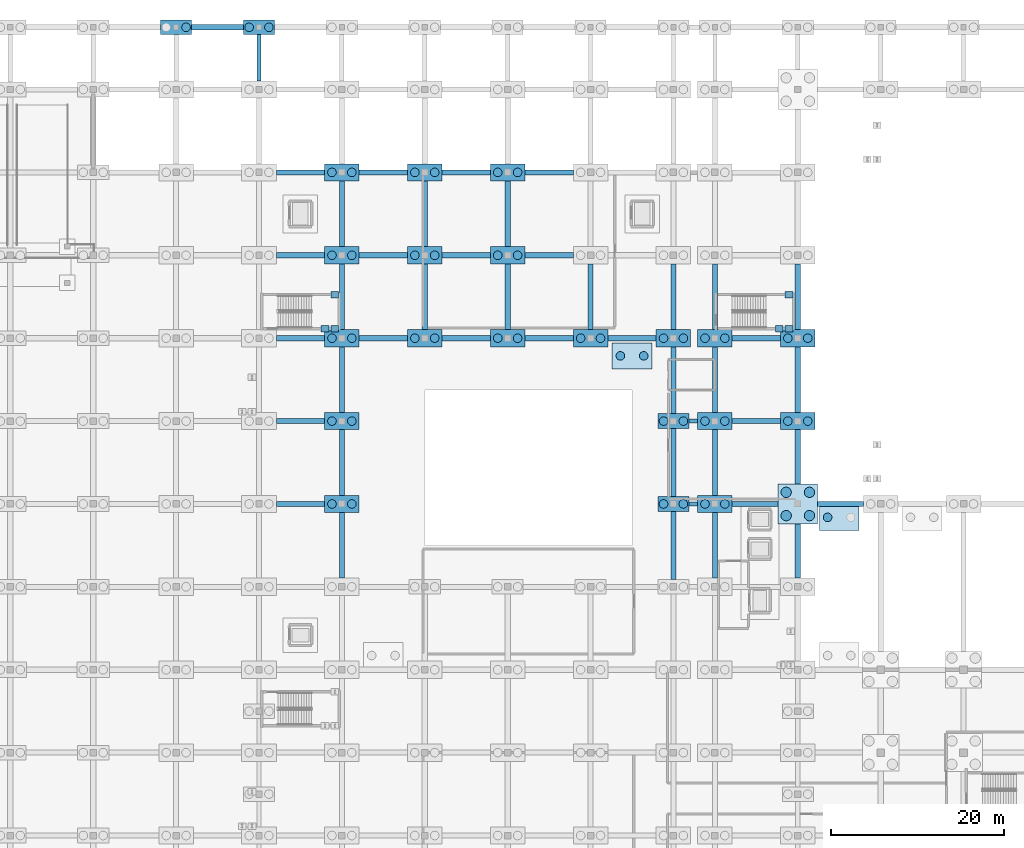
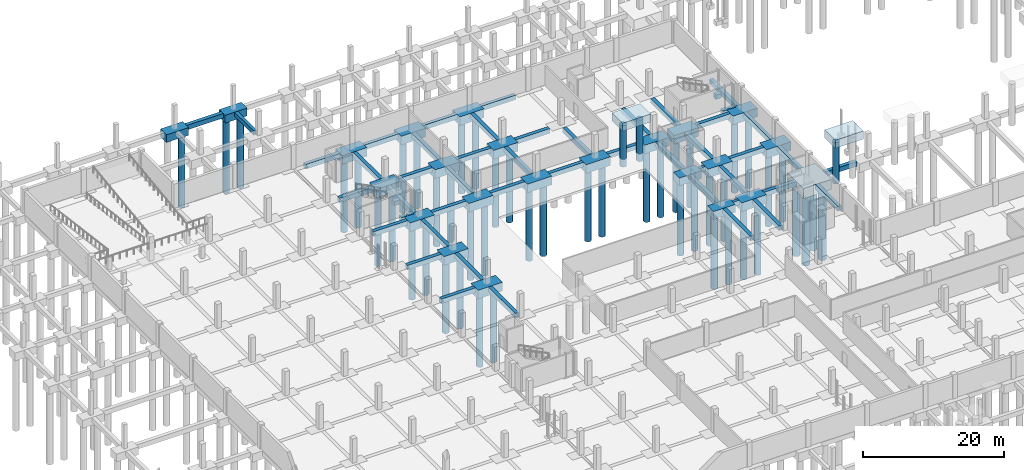
# One storey, part 7 of 54: 76 footings, 50 piles.
"""IFC4 building model written with IfcOpenShell, lengths in metres."""

from ifc_helpers import new_model, si_unit, direction, frame, origin, origin_2d, place, context, subcontext, project, spatial, rectangle, circle, extrude, material, material_profile, profile_set, type_object, element, save


model = new_model("IFC4")

# Units and contexts
model_context = context("Model", 3, precision=1e-05, world=origin(), true_north=direction((0.0, 1.0)))
body_context = subcontext(model_context, "Body", "Model", "MODEL_VIEW")
ifc_project = project(units=[si_unit("LENGTHUNIT", "METRE"), si_unit("AREAUNIT", "SQUARE_METRE"), si_unit("VOLUMEUNIT", "CUBIC_METRE"), si_unit("PLANEANGLEUNIT", "RADIAN"), si_unit("MASSUNIT", "GRAM", prefix="KILO")], contexts=[model_context])

# Site, building, storey
site_placement = place(None, origin())
site = spatial("IfcSite", under=ifc_project, at=site_placement, CompositionType="ELEMENT")
building_placement = place(site_placement, origin())
building = spatial("IfcBuilding", under=site, at=building_placement, Name="Zevrakil Square Congress Hotel", CompositionType="ELEMENT")
storey_placement = place(building_placement, frame((0.0, 0.0, -8.39990234375)))
storey = spatial("IfcBuildingStorey", under=building, at=storey_placement, Name="B2", CompositionType="ELEMENT", Elevation=-8.39990234375)

# Footings
ifc_material_1 = material(Name="Concrete C35/45", Category="concrete")
footing_type_1 = type_object("IfcFootingType", Name="FTG-PC2-360", PredefinedType="PILE_CAP", material=ifc_material_1)
for number, where, z_axis, x_axis, name in (
    (1, (45.60009765625, 120.0, -1.35009765625), (0.0, 0.0, 1.0), (1.0, 0.0, 0.0), "Pile cap PC2-083"),
    (2, (55.199951171875, 120.0, -1.35009765625), (0.0, 0.0, 1.0), (1.0, 0.0, 0.0), "Pile cap PC2-097"),
    (3, (103.199951171875, 64.800048828125, -1.35009765625), (0.0, 0.0, 1.0), (1.0, 0.0, 0.0), "Pile cap PC2-161"),
    (4, (103.199951171875, 74.39990234375, -1.35009765625), (0.0, 0.0, 1.0), (1.0, 0.0, 0.0), "Pile cap PC2-162"),
):
    element("IfcFooting", number, at=place(storey_placement, frame(where, z_axis=z_axis, x_axis=x_axis)), inside=storey, type_object=footing_type_1, Name=name, PredefinedType="PILE_CAP", context=body_context, shape_type="SweptSolid", body=[
        extrude(rectangle(XDim=3.60009765625, YDim=1.699951171875, at=origin_2d()), origin(), (0.0, 0.0, 1.0), 1.35009765625),
    ])
ifc_material_2 = material(Name="Concrete C35/45", Category="concrete")
footing_type_2 = type_object("IfcFootingType", Name="FTG-PC2-400", PredefinedType="PILE_CAP", material=ifc_material_2)
for number, where, z_axis, x_axis, name in (
    (5, (64.800048828125, 64.800048828125, -1.5), (0.0, 0.0, 1.0), (1.0, 0.0, 0.0), "Pile cap PC2-105"),
    (6, (64.800048828125, 74.39990234375, -1.5), (0.0, 0.0, 1.0), (1.0, 0.0, 0.0), "Pile cap PC2-106"),
    (7, (64.800048828125, 84.0, -1.5), (0.0, 0.0, 1.0), (1.0, 0.0, 0.0), "Pile cap PC2-107"),
    (8, (64.800048828125, 93.60009765625, -1.5), (0.0, 0.0, 1.0), (1.0, 0.0, 0.0), "Pile cap PC2-108"),
    (9, (64.800048828125, 103.199951171875, -1.5), (0.0, 0.0, 1.0), (1.0, 0.0, 0.0), "Pile cap PC2-109"),
    (10, (74.39990234375, 84.0, -1.5), (0.0, 0.0, 1.0), (1.0, 0.0, 0.0), "Pile cap PC2-121"),
    (11, (74.39990234375, 93.60009765625, -1.5), (0.0, 0.0, 1.0), (1.0, 0.0, 0.0), "Pile cap PC2-122"),
    (12, (74.39990234375, 103.199951171875, -1.5), (0.0, 0.0, 1.0), (1.0, 0.0, 0.0), "Pile cap PC2-123"),
    (13, (84.0, 84.0, -1.5), (0.0, 0.0, 1.0), (1.0, 0.0, 0.0), "Pile cap PC2-135"),
    (14, (84.0, 93.60009765625, -1.5), (0.0, 0.0, 1.0), (1.0, 0.0, 0.0), "Pile cap PC2-136"),
    (15, (84.0, 103.199951171875, -1.5), (0.0, 0.0, 1.0), (1.0, 0.0, 0.0), "Pile cap PC2-137"),
    (16, (93.60009765625, 84.0, -1.5), (0.0, 0.0, 1.0), (1.0, 0.0, 0.0), "Pile cap PC2-149"),
    (17, (103.199951171875, 84.0, -1.5), (0.0, 0.0, 1.0), (1.0, 0.0, 0.0), "Pile cap PC2-163"),
    (18, (108.0, 64.800048828125, -1.5), (0.0, 0.0, 1.0), (1.0, 0.0, 0.0), "Pile cap PC2-175"),
    (19, (108.0, 74.39990234375, -1.5), (0.0, 0.0, 1.0), (1.0, 0.0, 0.0), "Pile cap PC2-176"),
    (20, (108.0, 84.0, -1.5), (0.0, 0.0, 1.0), (1.0, 0.0, 0.0), "Pile cap PC2-177"),
    (21, (117.60009765625, 74.39990234375, -1.5), (0.0, 0.0, 1.0), (1.0, 0.0, 0.0), "Pile cap PC2-190"),
    (22, (117.60009765625, 84.0, -1.5), (0.0, 0.0, 1.0), (1.0, 0.0, 0.0), "Pile cap PC2-191"),
):
    element("IfcFooting", number, at=place(storey_placement, frame(where, z_axis=z_axis, x_axis=x_axis)), inside=storey, type_object=footing_type_2, Name=name, PredefinedType="PILE_CAP", context=body_context, shape_type="SweptSolid", body=[
        extrude(rectangle(XDim=4.0, YDim=2.0, at=origin_2d()), origin(), (0.0, 0.0, 1.0), 1.5),
    ])
ifc_material_3 = material(Name="Concrete C35/45", Category="concrete")
footing_type_3 = type_object("IfcFootingType", Name="FTG-PC2-460x300", PredefinedType="PILE_CAP", material=ifc_material_3)
for number, where, z_axis, x_axis, name in (
    (23, (98.39990234375, 81.949951171875, 5.75), (0.0, 0.0, 1.0), (1.0, 0.0, 0.0), "Exterior exit landing two-pile cap EX-ST06"),
    (24, (122.39990234375, 63.25, 5.75), (0.0, 0.0, 1.0), (1.0, 0.0, 0.0), "Exterior exit landing two-pile cap EX-ST08"),
):
    element("IfcFooting", number, at=place(storey_placement, frame(where, z_axis=z_axis, x_axis=x_axis)), inside=storey, type_object=footing_type_3, Name=name, PredefinedType="PILE_CAP", context=body_context, shape_type="SweptSolid", body=[
        extrude(rectangle(XDim=4.60009765625, YDim=3.0, at=origin_2d()), origin(), (0.0, 0.0, 1.0), 1.39990234375),
    ])
ifc_material_4 = material(Name="Concrete C35/45", Category="concrete")
footing_type_4 = type_object("IfcFootingType", Name="FTG-PC4-460", PredefinedType="PILE_CAP", material=ifc_material_4)
footing_1_placement = place(storey_placement, frame((117.60009765625, 64.800048828125, -1.75), z_axis=(0.0, 0.0, 1.0), x_axis=(1.0, 0.0, 0.0)))
element("IfcFooting", 25, at=footing_1_placement, inside=storey, type_object=footing_type_4, Name="Pile cap PC4-189", PredefinedType="PILE_CAP", context=body_context, shape_type="SweptSolid", body=[
    extrude(rectangle(XDim=4.60009765625, YDim=4.60009765625, at=origin_2d()), origin(), (0.0, 0.0, 1.0), 1.75),
])
ifc_material_5 = material(Name="Concrete C35/45", Category="concrete")
ifc_material_profile_1 = material_profile(ifc_material_5, rectangle(XDim=0.75, YDim=0.75, at=origin_2d()), Name="RC 750x750")
ifc_profile_set_1 = profile_set([ifc_material_profile_1], Name="Concrete C35/45")
footing_type_5 = type_object("IfcFootingType", Name="FTG-STRIP-750", PredefinedType="STRIP_FOOTING", material=ifc_profile_set_1)
footing_2_placement = place(storey_placement, frame((62.39990234375, 85.10009765625, -0.375), z_axis=(1.0, 0.0, 0.0), x_axis=(0.0, 1.0, 0.0)))
element("IfcFooting", 26, at=footing_2_placement, inside=storey, type_object=footing_type_5, Name="B2 stair post footing ST05-1", PredefinedType="STRIP_FOOTING", context=body_context, shape_type="SweptSolid", body=[
    extrude(rectangle(XDim=0.75, YDim=0.75, at=origin_2d()), origin(), (0.0, 0.0, 1.0), 0.900146484375),
])
for number, where, z_axis, x_axis, name in (
    (27, (63.530029296875, 85.10009765625, -0.375), (1.0, 0.0, 0.0), (0.0, 1.0, 0.0), "B2 stair post footing ST05-2"),
    (28, (63.530029296875, 89.050048828125, -0.375), (1.0, 0.0, 0.0), (0.0, 1.0, 0.0), "B2 stair post footing ST05-3"),
    (29, (115.0, 85.10009765625, -0.375), (1.0, 0.0, 0.0), (0.0, 1.0, 0.0), "B2 stair post footing ST06-1"),
):
    element("IfcFooting", number, at=place(storey_placement, frame(where, z_axis=z_axis, x_axis=x_axis)), inside=storey, type_object=footing_type_5, Name=name, PredefinedType="STRIP_FOOTING", context=body_context, shape_type="SweptSolid", body=[
        extrude(rectangle(XDim=0.75, YDim=0.75, at=origin_2d()), origin(), (0.0, 0.0, 1.0), 0.89990234375),
    ])
for number, where, z_axis, x_axis, name in (
    (30, (116.1298828125, 85.10009765625, -0.375), (1.0, 0.0, 0.0), (0.0, 1.0, 0.0), "B2 stair post footing ST06-2"),
    (31, (116.1298828125, 89.050048828125, -0.375), (1.0, 0.0, 0.0), (0.0, 1.0, 0.0), "B2 stair post footing ST06-3"),
):
    element("IfcFooting", number, at=place(storey_placement, frame(where, z_axis=z_axis, x_axis=x_axis)), inside=storey, type_object=footing_type_5, Name=name, PredefinedType="STRIP_FOOTING", context=body_context, shape_type="SweptSolid", body=[
        extrude(rectangle(XDim=0.75, YDim=0.75, at=origin_2d()), origin(), (0.0, 0.0, 1.0), 0.900146484375),
    ])
ifc_material_6 = material(Name="Concrete C35/45", Category="concrete")
ifc_material_profile_2 = material_profile(ifc_material_6, rectangle(XDim=0.5, YDim=0.75, at=origin_2d()), Name="RC 500x750")
ifc_profile_set_2 = profile_set([ifc_material_profile_2], Name="Concrete C35/45")
footing_type_6 = type_object("IfcFootingType", Name="FTG-TIE-500x750", PredefinedType="FOOTING_BEAM", material=ifc_profile_set_2)
for number, where, z_axis, x_axis, name in (
    (32, (105.0, 64.800048828125, -0.375), (1.0, 0.0, 0.0), (0.0, 1.0, 0.0), "Ground tie beam GB-124"),
    (33, (105.0, 74.39990234375, -0.375), (1.0, 0.0, 0.0), (0.0, 1.0, 0.0), "Ground tie beam GB-139"),
):
    element("IfcFooting", number, at=place(storey_placement, frame(where, z_axis=z_axis, x_axis=x_axis)), inside=storey, type_object=footing_type_6, Name=name, PredefinedType="FOOTING_BEAM", context=body_context, shape_type="SweptSolid", body=[
        extrude(rectangle(XDim=0.5, YDim=0.75, at=origin_2d()), origin(), (0.0, 0.0, 1.0), 1.0),
    ])
footing_3_placement = place(storey_placement, frame((55.199951171875, 113.800048828125, -0.375), z_axis=(0.0, 1.0, 0.0), x_axis=(-1.0, 0.0, 0.0)))
element("IfcFooting", 34, at=footing_3_placement, inside=storey, type_object=footing_type_6, Name="Ground tie beam GB-304", PredefinedType="FOOTING_BEAM", context=body_context, shape_type="SweptSolid", body=[
    extrude(rectangle(XDim=0.5, YDim=0.75, at=origin_2d()), origin(), (0.0, 0.0, 1.0), 5.349853515625),
])
ifc_material_7 = material(Name="Concrete C35/45", Category="concrete")
ifc_material_profile_3 = material_profile(ifc_material_7, rectangle(XDim=0.60009765625, YDim=0.800048828125, at=origin_2d()), Name="RC 600x800")
ifc_profile_set_3 = profile_set([ifc_material_profile_3], Name="Concrete C35/45")
footing_type_7 = type_object("IfcFootingType", Name="FTG-TIE-600x800", PredefinedType="FOOTING_BEAM", material=ifc_profile_set_3)
footing_4_placement = place(storey_placement, frame((57.199951171875, 64.800048828125, -0.400146484375), z_axis=(1.0, 0.0, 0.0), x_axis=(0.0, 1.0, 0.0)))
element("IfcFooting", 35, at=footing_4_placement, inside=storey, type_object=footing_type_7, Name="Ground tie beam GB-123", PredefinedType="FOOTING_BEAM", context=body_context, shape_type="SweptSolid", body=[
    extrude(rectangle(XDim=0.60009765625, YDim=0.800048828125, at=origin_2d()), origin(), (0.0, 0.0, 1.0), 5.60009765625),
])
for number, where, z_axis, x_axis, name in (
    (36, (110.0, 64.800048828125, -0.400146484375), (1.0, 0.0, 0.0), (0.0, 1.0, 0.0), "Ground tie beam GB-125"),
    (37, (119.89990234375, 64.800048828125, -0.400146484375), (1.0, 0.0, 0.0), (0.0, 1.0, 0.0), "Ground tie beam GB-126"),
):
    element("IfcFooting", number, at=place(storey_placement, frame(where, z_axis=z_axis, x_axis=x_axis)), inside=storey, type_object=footing_type_7, Name=name, PredefinedType="FOOTING_BEAM", context=body_context, shape_type="SweptSolid", body=[
        extrude(rectangle(XDim=0.60009765625, YDim=0.800048828125, at=origin_2d()), origin(), (0.0, 0.0, 1.0), 5.300048828125),
    ])
for number, where, z_axis, x_axis, name in (
    (38, (57.199951171875, 74.39990234375, -0.400146484375), (1.0, 0.0, 0.0), (0.0, 1.0, 0.0), "Ground tie beam GB-138"),
    (39, (110.0, 74.39990234375, -0.400146484375), (1.0, 0.0, 0.0), (0.0, 1.0, 0.0), "Ground tie beam GB-140"),
    (40, (57.199951171875, 84.0, -0.400146484375), (1.0, 0.0, 0.0), (0.0, 1.0, 0.0), "Ground tie beam GB-148"),
):
    element("IfcFooting", number, at=place(storey_placement, frame(where, z_axis=z_axis, x_axis=x_axis)), inside=storey, type_object=footing_type_7, Name=name, PredefinedType="FOOTING_BEAM", context=body_context, shape_type="SweptSolid", body=[
        extrude(rectangle(XDim=0.60009765625, YDim=0.800048828125, at=origin_2d()), origin(), (0.0, 0.0, 1.0), 5.60009765625),
    ])
footing_5_placement = place(storey_placement, frame((66.800048828125, 84.0, -0.400146484375), z_axis=(1.0, 0.0, 0.0), x_axis=(0.0, 1.0, 0.0)))
element("IfcFooting", 41, at=footing_5_placement, inside=storey, type_object=footing_type_7, Name="Ground tie beam GB-149", PredefinedType="FOOTING_BEAM", context=body_context, shape_type="SweptSolid", body=[
    extrude(rectangle(XDim=0.60009765625, YDim=0.800048828125, at=origin_2d()), origin(), (0.0, 0.0, 1.0), 5.599853515625),
])
for number, where, z_axis, x_axis, name in (
    (42, (76.39990234375, 84.0, -0.400146484375), (1.0, 0.0, 0.0), (0.0, 1.0, 0.0), "Ground tie beam GB-150"),
    (43, (86.0, 84.0, -0.400146484375), (1.0, 0.0, 0.0), (0.0, 1.0, 0.0), "Ground tie beam GB-151"),
):
    element("IfcFooting", number, at=place(storey_placement, frame(where, z_axis=z_axis, x_axis=x_axis)), inside=storey, type_object=footing_type_7, Name=name, PredefinedType="FOOTING_BEAM", context=body_context, shape_type="SweptSolid", body=[
        extrude(rectangle(XDim=0.60009765625, YDim=0.800048828125, at=origin_2d()), origin(), (0.0, 0.0, 1.0), 5.60009765625),
    ])
footing_6_placement = place(storey_placement, frame((95.60009765625, 84.0, -0.400146484375), z_axis=(1.0, 0.0, 0.0), x_axis=(0.0, 1.0, 0.0)))
element("IfcFooting", 44, at=footing_6_placement, inside=storey, type_object=footing_type_7, Name="Ground tie beam GB-152", PredefinedType="FOOTING_BEAM", context=body_context, shape_type="SweptSolid", body=[
    extrude(rectangle(XDim=0.60009765625, YDim=0.800048828125, at=origin_2d()), origin(), (0.0, 0.0, 1.0), 5.599853515625),
])
for number, where, z_axis, x_axis, name in (
    (45, (110.0, 84.0, -0.400146484375), (1.0, 0.0, 0.0), (0.0, 1.0, 0.0), "Ground tie beam GB-153"),
    (46, (57.199951171875, 93.60009765625, -0.400146484375), (1.0, 0.0, 0.0), (0.0, 1.0, 0.0), "Ground tie beam GB-161"),
):
    element("IfcFooting", number, at=place(storey_placement, frame(where, z_axis=z_axis, x_axis=x_axis)), inside=storey, type_object=footing_type_7, Name=name, PredefinedType="FOOTING_BEAM", context=body_context, shape_type="SweptSolid", body=[
        extrude(rectangle(XDim=0.60009765625, YDim=0.800048828125, at=origin_2d()), origin(), (0.0, 0.0, 1.0), 5.60009765625),
    ])
footing_7_placement = place(storey_placement, frame((66.800048828125, 93.60009765625, -0.400146484375), z_axis=(1.0, 0.0, 0.0), x_axis=(0.0, 1.0, 0.0)))
element("IfcFooting", 47, at=footing_7_placement, inside=storey, type_object=footing_type_7, Name="Ground tie beam GB-162", PredefinedType="FOOTING_BEAM", context=body_context, shape_type="SweptSolid", body=[
    extrude(rectangle(XDim=0.60009765625, YDim=0.800048828125, at=origin_2d()), origin(), (0.0, 0.0, 1.0), 5.599853515625),
])
for number, where, z_axis, x_axis, name in (
    (48, (76.39990234375, 93.60009765625, -0.400146484375), (1.0, 0.0, 0.0), (0.0, 1.0, 0.0), "Ground tie beam GB-163"),
    (49, (86.0, 93.60009765625, -0.400146484375), (1.0, 0.0, 0.0), (0.0, 1.0, 0.0), "Ground tie beam GB-164"),
    (50, (57.199951171875, 103.199951171875, -0.400146484375), (1.0, 0.0, 0.0), (0.0, 1.0, 0.0), "Ground tie beam GB-173"),
):
    element("IfcFooting", number, at=place(storey_placement, frame(where, z_axis=z_axis, x_axis=x_axis)), inside=storey, type_object=footing_type_7, Name=name, PredefinedType="FOOTING_BEAM", context=body_context, shape_type="SweptSolid", body=[
        extrude(rectangle(XDim=0.60009765625, YDim=0.800048828125, at=origin_2d()), origin(), (0.0, 0.0, 1.0), 5.60009765625),
    ])
footing_8_placement = place(storey_placement, frame((66.800048828125, 103.199951171875, -0.400146484375), z_axis=(1.0, 0.0, 0.0), x_axis=(0.0, 1.0, 0.0)))
element("IfcFooting", 51, at=footing_8_placement, inside=storey, type_object=footing_type_7, Name="Ground tie beam GB-174", PredefinedType="FOOTING_BEAM", context=body_context, shape_type="SweptSolid", body=[
    extrude(rectangle(XDim=0.60009765625, YDim=0.800048828125, at=origin_2d()), origin(), (0.0, 0.0, 1.0), 5.599853515625),
])
for number, where, z_axis, x_axis, name in (
    (52, (76.39990234375, 103.199951171875, -0.400146484375), (1.0, 0.0, 0.0), (0.0, 1.0, 0.0), "Ground tie beam GB-175"),
    (53, (86.0, 103.199951171875, -0.400146484375), (1.0, 0.0, 0.0), (0.0, 1.0, 0.0), "Ground tie beam GB-176"),
):
    element("IfcFooting", number, at=place(storey_placement, frame(where, z_axis=z_axis, x_axis=x_axis)), inside=storey, type_object=footing_type_7, Name=name, PredefinedType="FOOTING_BEAM", context=body_context, shape_type="SweptSolid", body=[
        extrude(rectangle(XDim=0.60009765625, YDim=0.800048828125, at=origin_2d()), origin(), (0.0, 0.0, 1.0), 5.60009765625),
    ])
footing_9_placement = place(storey_placement, frame((47.39990234375, 120.0, -0.400146484375), z_axis=(1.0, 0.0, 0.0), x_axis=(0.0, 1.0, 0.0)))
element("IfcFooting", 54, at=footing_9_placement, inside=storey, type_object=footing_type_7, Name="Ground tie beam GB-202", PredefinedType="FOOTING_BEAM", context=body_context, shape_type="SweptSolid", body=[
    extrude(rectangle(XDim=0.60009765625, YDim=0.800048828125, at=origin_2d()), origin(), (0.0, 0.0, 1.0), 6.0),
])
footing_10_placement = place(storey_placement, frame((64.800048828125, 56.199951171875, -0.400146484375), z_axis=(0.0, 1.0, 0.0), x_axis=(-1.0, 0.0, 0.0)))
element("IfcFooting", 55, at=footing_10_placement, inside=storey, type_object=footing_type_7, Name="Ground tie beam GB-311", PredefinedType="FOOTING_BEAM", context=body_context, shape_type="SweptSolid", body=[
    extrude(rectangle(XDim=0.60009765625, YDim=0.800048828125, at=origin_2d()), origin(), (0.0, 0.0, 1.0), 7.60009765625),
])
footing_11_placement = place(storey_placement, frame((64.800048828125, 65.800048828125, -0.400146484375), z_axis=(0.0, 1.0, 0.0), x_axis=(-1.0, 0.0, 0.0)))
element("IfcFooting", 56, at=footing_11_placement, inside=storey, type_object=footing_type_7, Name="Ground tie beam GB-312", PredefinedType="FOOTING_BEAM", context=body_context, shape_type="SweptSolid", body=[
    extrude(rectangle(XDim=0.60009765625, YDim=0.800048828125, at=origin_2d()), origin(), (0.0, 0.0, 1.0), 7.599853515625),
])
for number, where, z_axis, x_axis, name in (
    (57, (64.800048828125, 75.39990234375, -0.400146484375), (0.0, 1.0, 0.0), (-1.0, 0.0, 0.0), "Ground tie beam GB-313"),
    (58, (64.800048828125, 85.0, -0.400146484375), (0.0, 1.0, 0.0), (-1.0, 0.0, 0.0), "Ground tie beam GB-314"),
):
    element("IfcFooting", number, at=place(storey_placement, frame(where, z_axis=z_axis, x_axis=x_axis)), inside=storey, type_object=footing_type_7, Name=name, PredefinedType="FOOTING_BEAM", context=body_context, shape_type="SweptSolid", body=[
        extrude(rectangle(XDim=0.60009765625, YDim=0.800048828125, at=origin_2d()), origin(), (0.0, 0.0, 1.0), 7.60009765625),
    ])
footing_12_placement = place(storey_placement, frame((64.800048828125, 94.60009765625, -0.400146484375), z_axis=(0.0, 1.0, 0.0), x_axis=(-1.0, 0.0, 0.0)))
element("IfcFooting", 59, at=footing_12_placement, inside=storey, type_object=footing_type_7, Name="Ground tie beam GB-315", PredefinedType="FOOTING_BEAM", context=body_context, shape_type="SweptSolid", body=[
    extrude(rectangle(XDim=0.60009765625, YDim=0.800048828125, at=origin_2d()), origin(), (0.0, 0.0, 1.0), 7.599853515625),
])
footing_13_placement = place(storey_placement, frame((74.39990234375, 85.0, -0.400146484375), z_axis=(0.0, 1.0, 0.0), x_axis=(-1.0, 0.0, 0.0)))
element("IfcFooting", 60, at=footing_13_placement, inside=storey, type_object=footing_type_7, Name="Ground tie beam GB-324", PredefinedType="FOOTING_BEAM", context=body_context, shape_type="SweptSolid", body=[
    extrude(rectangle(XDim=0.60009765625, YDim=0.800048828125, at=origin_2d()), origin(), (0.0, 0.0, 1.0), 7.60009765625),
])
footing_14_placement = place(storey_placement, frame((74.39990234375, 94.60009765625, -0.400146484375), z_axis=(0.0, 1.0, 0.0), x_axis=(-1.0, 0.0, 0.0)))
element("IfcFooting", 61, at=footing_14_placement, inside=storey, type_object=footing_type_7, Name="Ground tie beam GB-325", PredefinedType="FOOTING_BEAM", context=body_context, shape_type="SweptSolid", body=[
    extrude(rectangle(XDim=0.60009765625, YDim=0.800048828125, at=origin_2d()), origin(), (0.0, 0.0, 1.0), 7.599853515625),
])
footing_15_placement = place(storey_placement, frame((84.0, 85.0, -0.400146484375), z_axis=(0.0, 1.0, 0.0), x_axis=(-1.0, 0.0, 0.0)))
element("IfcFooting", 62, at=footing_15_placement, inside=storey, type_object=footing_type_7, Name="Ground tie beam GB-334", PredefinedType="FOOTING_BEAM", context=body_context, shape_type="SweptSolid", body=[
    extrude(rectangle(XDim=0.60009765625, YDim=0.800048828125, at=origin_2d()), origin(), (0.0, 0.0, 1.0), 7.60009765625),
])
footing_16_placement = place(storey_placement, frame((84.0, 94.60009765625, -0.400146484375), z_axis=(0.0, 1.0, 0.0), x_axis=(-1.0, 0.0, 0.0)))
element("IfcFooting", 63, at=footing_16_placement, inside=storey, type_object=footing_type_7, Name="Ground tie beam GB-335", PredefinedType="FOOTING_BEAM", context=body_context, shape_type="SweptSolid", body=[
    extrude(rectangle(XDim=0.60009765625, YDim=0.800048828125, at=origin_2d()), origin(), (0.0, 0.0, 1.0), 7.599853515625),
])
footing_17_placement = place(storey_placement, frame((93.60009765625, 85.0, -0.400146484375), z_axis=(0.0, 1.0, 0.0), x_axis=(-1.0, 0.0, 0.0)))
element("IfcFooting", 64, at=footing_17_placement, inside=storey, type_object=footing_type_7, Name="Ground tie beam GB-344", PredefinedType="FOOTING_BEAM", context=body_context, shape_type="SweptSolid", body=[
    extrude(rectangle(XDim=0.60009765625, YDim=0.800048828125, at=origin_2d()), origin(), (0.0, 0.0, 1.0), 7.60009765625),
])
footing_18_placement = place(storey_placement, frame((103.199951171875, 56.050048828125, -0.400146484375), z_axis=(0.0, 1.0, 0.0), x_axis=(-1.0, 0.0, 0.0)))
element("IfcFooting", 65, at=footing_18_placement, inside=storey, type_object=footing_type_7, Name="Ground tie beam GB-354", PredefinedType="FOOTING_BEAM", context=body_context, shape_type="SweptSolid", body=[
    extrude(rectangle(XDim=0.60009765625, YDim=0.800048828125, at=origin_2d()), origin(), (0.0, 0.0, 1.0), 7.89990234375),
])
footing_19_placement = place(storey_placement, frame((103.199951171875, 65.64990234375, -0.400146484375), z_axis=(0.0, 1.0, 0.0), x_axis=(-1.0, 0.0, 0.0)))
element("IfcFooting", 66, at=footing_19_placement, inside=storey, type_object=footing_type_7, Name="Ground tie beam GB-355", PredefinedType="FOOTING_BEAM", context=body_context, shape_type="SweptSolid", body=[
    extrude(rectangle(XDim=0.60009765625, YDim=0.800048828125, at=origin_2d()), origin(), (0.0, 0.0, 1.0), 7.900146484375),
])
footing_20_placement = place(storey_placement, frame((103.199951171875, 75.25, -0.400146484375), z_axis=(0.0, 1.0, 0.0), x_axis=(-1.0, 0.0, 0.0)))
element("IfcFooting", 67, at=footing_20_placement, inside=storey, type_object=footing_type_7, Name="Ground tie beam GB-356", PredefinedType="FOOTING_BEAM", context=body_context, shape_type="SweptSolid", body=[
    extrude(rectangle(XDim=0.60009765625, YDim=0.800048828125, at=origin_2d()), origin(), (0.0, 0.0, 1.0), 7.75),
])
for number, where, z_axis, x_axis, name in (
    (68, (103.199951171875, 85.0, -0.400146484375), (0.0, 1.0, 0.0), (-1.0, 0.0, 0.0), "Ground tie beam GB-357"),
    (69, (108.0, 56.199951171875, -0.400146484375), (0.0, 1.0, 0.0), (-1.0, 0.0, 0.0), "Ground tie beam GB-367"),
):
    element("IfcFooting", number, at=place(storey_placement, frame(where, z_axis=z_axis, x_axis=x_axis)), inside=storey, type_object=footing_type_7, Name=name, PredefinedType="FOOTING_BEAM", context=body_context, shape_type="SweptSolid", body=[
        extrude(rectangle(XDim=0.60009765625, YDim=0.800048828125, at=origin_2d()), origin(), (0.0, 0.0, 1.0), 7.60009765625),
    ])
footing_21_placement = place(storey_placement, frame((108.0, 65.800048828125, -0.400146484375), z_axis=(0.0, 1.0, 0.0), x_axis=(-1.0, 0.0, 0.0)))
element("IfcFooting", 70, at=footing_21_placement, inside=storey, type_object=footing_type_7, Name="Ground tie beam GB-368", PredefinedType="FOOTING_BEAM", context=body_context, shape_type="SweptSolid", body=[
    extrude(rectangle(XDim=0.60009765625, YDim=0.800048828125, at=origin_2d()), origin(), (0.0, 0.0, 1.0), 7.599853515625),
])
for number, where, z_axis, x_axis, name in (
    (71, (108.0, 75.39990234375, -0.400146484375), (0.0, 1.0, 0.0), (-1.0, 0.0, 0.0), "Ground tie beam GB-369"),
    (72, (108.0, 85.0, -0.400146484375), (0.0, 1.0, 0.0), (-1.0, 0.0, 0.0), "Ground tie beam GB-370"),
):
    element("IfcFooting", number, at=place(storey_placement, frame(where, z_axis=z_axis, x_axis=x_axis)), inside=storey, type_object=footing_type_7, Name=name, PredefinedType="FOOTING_BEAM", context=body_context, shape_type="SweptSolid", body=[
        extrude(rectangle(XDim=0.60009765625, YDim=0.800048828125, at=origin_2d()), origin(), (0.0, 0.0, 1.0), 7.60009765625),
    ])
footing_22_placement = place(storey_placement, frame((117.60009765625, 56.199951171875, -0.400146484375), z_axis=(0.0, 1.0, 0.0), x_axis=(-1.0, 0.0, 0.0)))
element("IfcFooting", 73, at=footing_22_placement, inside=storey, type_object=footing_type_7, Name="Ground tie beam GB-384", PredefinedType="FOOTING_BEAM", context=body_context, shape_type="SweptSolid", body=[
    extrude(rectangle(XDim=0.60009765625, YDim=0.800048828125, at=origin_2d()), origin(), (0.0, 0.0, 1.0), 6.300048828125),
])
footing_23_placement = place(storey_placement, frame((117.60009765625, 67.10009765625, -0.400146484375), z_axis=(0.0, 1.0, 0.0), x_axis=(-1.0, 0.0, 0.0)))
element("IfcFooting", 74, at=footing_23_placement, inside=storey, type_object=footing_type_7, Name="Ground tie beam GB-385", PredefinedType="FOOTING_BEAM", context=body_context, shape_type="SweptSolid", body=[
    extrude(rectangle(XDim=0.60009765625, YDim=0.800048828125, at=origin_2d()), origin(), (0.0, 0.0, 1.0), 6.2998046875),
])
for number, where, z_axis, x_axis, name in (
    (75, (117.60009765625, 75.39990234375, -0.400146484375), (0.0, 1.0, 0.0), (-1.0, 0.0, 0.0), "Ground tie beam GB-386"),
    (76, (117.60009765625, 85.0, -0.400146484375), (0.0, 1.0, 0.0), (-1.0, 0.0, 0.0), "Ground tie beam GB-387"),
):
    element("IfcFooting", number, at=place(storey_placement, frame(where, z_axis=z_axis, x_axis=x_axis)), inside=storey, type_object=footing_type_7, Name=name, PredefinedType="FOOTING_BEAM", context=body_context, shape_type="SweptSolid", body=[
        extrude(rectangle(XDim=0.60009765625, YDim=0.800048828125, at=origin_2d()), origin(), (0.0, 0.0, 1.0), 7.60009765625),
    ])

# Piles
ifc_material_8 = material(Name="Concrete C35/45", Category="concrete")
ifc_material_profile_4 = material_profile(ifc_material_8, circle(Radius=0.5, at=origin_2d()), Name="PILE D1000")
ifc_profile_set_4 = profile_set([ifc_material_profile_4], Name="Concrete C35/45")
pile_type_1 = type_object("IfcPileType", Name="PILE-BORED-1000", PredefinedType="BORED", material=ifc_profile_set_4)
for number, where, z_axis, x_axis, name in (
    (77, (46.75, 120.0, -1.25), (0.0, 0.0, -1.0), (1.0, 0.0, 0.0), "Bored pile PC2-083-2"),
    (78, (54.050048828125, 120.0, -1.25), (0.0, 0.0, -1.0), (1.0, 0.0, 0.0), "Bored pile PC2-097-1"),
    (79, (56.35009765625, 120.0, -1.25), (0.0, 0.0, -1.0), (1.0, 0.0, 0.0), "Bored pile PC2-097-2"),
):
    element("IfcPile", number, at=place(storey_placement, frame(where, z_axis=z_axis, x_axis=x_axis)), inside=storey, type_object=pile_type_1, Name=name, PredefinedType="BORED", context=body_context, shape_type="SweptSolid", body=[
        extrude(circle(Radius=0.5, at=origin_2d()), origin(), (0.0, 0.0, 1.0), 12.64990234375),
    ])
for number, where, z_axis, x_axis, name in (
    (80, (63.64990234375, 64.800048828125, -1.400146484375), (0.0, 0.0, -1.0), (1.0, 0.0, 0.0), "Bored pile PC2-105-1"),
    (81, (65.949951171875, 64.800048828125, -1.400146484375), (0.0, 0.0, -1.0), (1.0, 0.0, 0.0), "Bored pile PC2-105-2"),
    (82, (63.64990234375, 74.39990234375, -1.400146484375), (0.0, 0.0, -1.0), (1.0, 0.0, 0.0), "Bored pile PC2-106-1"),
    (83, (65.949951171875, 74.39990234375, -1.400146484375), (0.0, 0.0, -1.0), (1.0, 0.0, 0.0), "Bored pile PC2-106-2"),
    (84, (63.64990234375, 84.0, -1.400146484375), (0.0, 0.0, -1.0), (1.0, 0.0, 0.0), "Bored pile PC2-107-1"),
    (85, (65.949951171875, 84.0, -1.400146484375), (0.0, 0.0, -1.0), (1.0, 0.0, 0.0), "Bored pile PC2-107-2"),
    (86, (63.64990234375, 93.60009765625, -1.400146484375), (0.0, 0.0, -1.0), (1.0, 0.0, 0.0), "Bored pile PC2-108-1"),
    (87, (65.949951171875, 93.60009765625, -1.400146484375), (0.0, 0.0, -1.0), (1.0, 0.0, 0.0), "Bored pile PC2-108-2"),
    (88, (63.64990234375, 103.199951171875, -1.400146484375), (0.0, 0.0, -1.0), (1.0, 0.0, 0.0), "Bored pile PC2-109-1"),
    (89, (65.949951171875, 103.199951171875, -1.400146484375), (0.0, 0.0, -1.0), (1.0, 0.0, 0.0), "Bored pile PC2-109-2"),
    (90, (73.25, 84.0, -1.400146484375), (0.0, 0.0, -1.0), (1.0, 0.0, 0.0), "Bored pile PC2-121-1"),
    (91, (75.550048828125, 84.0, -1.400146484375), (0.0, 0.0, -1.0), (1.0, 0.0, 0.0), "Bored pile PC2-121-2"),
    (92, (73.25, 93.60009765625, -1.400146484375), (0.0, 0.0, -1.0), (1.0, 0.0, 0.0), "Bored pile PC2-122-1"),
    (93, (75.550048828125, 93.60009765625, -1.400146484375), (0.0, 0.0, -1.0), (1.0, 0.0, 0.0), "Bored pile PC2-122-2"),
    (94, (73.25, 103.199951171875, -1.400146484375), (0.0, 0.0, -1.0), (1.0, 0.0, 0.0), "Bored pile PC2-123-1"),
    (95, (75.550048828125, 103.199951171875, -1.400146484375), (0.0, 0.0, -1.0), (1.0, 0.0, 0.0), "Bored pile PC2-123-2"),
    (96, (82.85009765625, 84.0, -1.400146484375), (0.0, 0.0, -1.0), (1.0, 0.0, 0.0), "Bored pile PC2-135-1"),
    (97, (85.14990234375, 84.0, -1.400146484375), (0.0, 0.0, -1.0), (1.0, 0.0, 0.0), "Bored pile PC2-135-2"),
    (98, (82.85009765625, 93.60009765625, -1.400146484375), (0.0, 0.0, -1.0), (1.0, 0.0, 0.0), "Bored pile PC2-136-1"),
    (99, (85.14990234375, 93.60009765625, -1.400146484375), (0.0, 0.0, -1.0), (1.0, 0.0, 0.0), "Bored pile PC2-136-2"),
    (100, (82.85009765625, 103.199951171875, -1.400146484375), (0.0, 0.0, -1.0), (1.0, 0.0, 0.0), "Bored pile PC2-137-1"),
    (101, (85.14990234375, 103.199951171875, -1.400146484375), (0.0, 0.0, -1.0), (1.0, 0.0, 0.0), "Bored pile PC2-137-2"),
    (102, (92.449951171875, 84.0, -1.400146484375), (0.0, 0.0, -1.0), (1.0, 0.0, 0.0), "Bored pile PC2-149-1"),
    (103, (94.75, 84.0, -1.400146484375), (0.0, 0.0, -1.0), (1.0, 0.0, 0.0), "Bored pile PC2-149-2"),
):
    element("IfcPile", number, at=place(storey_placement, frame(where, z_axis=z_axis, x_axis=x_axis)), inside=storey, type_object=pile_type_1, Name=name, PredefinedType="BORED", context=body_context, shape_type="SweptSolid", body=[
        extrude(circle(Radius=0.5, at=origin_2d()), origin(), (0.0, 0.0, 1.0), 12.5),
    ])
for number, where, z_axis, x_axis, name in (
    (104, (102.050048828125, 64.800048828125, -1.25), (0.0, 0.0, -1.0), (1.0, 0.0, 0.0), "Bored pile PC2-161-1"),
    (105, (104.35009765625, 64.800048828125, -1.25), (0.0, 0.0, -1.0), (1.0, 0.0, 0.0), "Bored pile PC2-161-2"),
    (106, (102.050048828125, 74.39990234375, -1.25), (0.0, 0.0, -1.0), (1.0, 0.0, 0.0), "Bored pile PC2-162-1"),
    (107, (104.35009765625, 74.39990234375, -1.25), (0.0, 0.0, -1.0), (1.0, 0.0, 0.0), "Bored pile PC2-162-2"),
):
    element("IfcPile", number, at=place(storey_placement, frame(where, z_axis=z_axis, x_axis=x_axis)), inside=storey, type_object=pile_type_1, Name=name, PredefinedType="BORED", context=body_context, shape_type="SweptSolid", body=[
        extrude(circle(Radius=0.5, at=origin_2d()), origin(), (0.0, 0.0, 1.0), 12.64990234375),
    ])
for number, where, z_axis, x_axis, name in (
    (108, (102.050048828125, 84.0, -1.400146484375), (0.0, 0.0, -1.0), (1.0, 0.0, 0.0), "Bored pile PC2-163-1"),
    (109, (104.35009765625, 84.0, -1.400146484375), (0.0, 0.0, -1.0), (1.0, 0.0, 0.0), "Bored pile PC2-163-2"),
    (110, (106.85009765625, 64.800048828125, -1.400146484375), (0.0, 0.0, -1.0), (1.0, 0.0, 0.0), "Bored pile PC2-175-1"),
    (111, (109.14990234375, 64.800048828125, -1.400146484375), (0.0, 0.0, -1.0), (1.0, 0.0, 0.0), "Bored pile PC2-175-2"),
    (112, (106.85009765625, 74.39990234375, -1.400146484375), (0.0, 0.0, -1.0), (1.0, 0.0, 0.0), "Bored pile PC2-176-1"),
    (113, (109.14990234375, 74.39990234375, -1.400146484375), (0.0, 0.0, -1.0), (1.0, 0.0, 0.0), "Bored pile PC2-176-2"),
    (114, (106.85009765625, 84.0, -1.400146484375), (0.0, 0.0, -1.0), (1.0, 0.0, 0.0), "Bored pile PC2-177-1"),
    (115, (109.14990234375, 84.0, -1.400146484375), (0.0, 0.0, -1.0), (1.0, 0.0, 0.0), "Bored pile PC2-177-2"),
    (116, (116.449951171875, 74.39990234375, -1.400146484375), (0.0, 0.0, -1.0), (1.0, 0.0, 0.0), "Bored pile PC2-190-1"),
    (117, (118.75, 74.39990234375, -1.400146484375), (0.0, 0.0, -1.0), (1.0, 0.0, 0.0), "Bored pile PC2-190-2"),
    (118, (116.449951171875, 84.0, -1.400146484375), (0.0, 0.0, -1.0), (1.0, 0.0, 0.0), "Bored pile PC2-191-1"),
    (119, (118.75, 84.0, -1.400146484375), (0.0, 0.0, -1.0), (1.0, 0.0, 0.0), "Bored pile PC2-191-2"),
):
    element("IfcPile", number, at=place(storey_placement, frame(where, z_axis=z_axis, x_axis=x_axis)), inside=storey, type_object=pile_type_1, Name=name, PredefinedType="BORED", context=body_context, shape_type="SweptSolid", body=[
        extrude(circle(Radius=0.5, at=origin_2d()), origin(), (0.0, 0.0, 1.0), 12.5),
    ])
for number, where, z_axis, x_axis, name in (
    (120, (97.050048828125, 81.949951171875, 5.849853515625), (0.0, 0.0, -1.0), (1.0, 0.0, 0.0), "Exterior exit apron bored pile EX-ST06-1"),
    (121, (99.75, 81.949951171875, 5.849853515625), (0.0, 0.0, -1.0), (1.0, 0.0, 0.0), "Exterior exit apron bored pile EX-ST06-2"),
    (122, (121.050048828125, 63.25, 5.849853515625), (0.0, 0.0, -1.0), (1.0, 0.0, 0.0), "Exterior exit apron bored pile EX-ST08-1"),
):
    element("IfcPile", number, at=place(storey_placement, frame(where, z_axis=z_axis, x_axis=x_axis)), inside=storey, type_object=pile_type_1, Name=name, PredefinedType="BORED", context=body_context, shape_type="SweptSolid", body=[
        extrude(circle(Radius=0.5, at=origin_2d()), origin(), (0.0, 0.0, 1.0), 7.199951171875),
    ])
ifc_material_9 = material(Name="Concrete C35/45", Category="concrete")
ifc_material_profile_5 = material_profile(ifc_material_9, circle(Radius=0.60009765625, at=origin_2d()), Name="PILE D1200")
ifc_profile_set_5 = profile_set([ifc_material_profile_5], Name="Concrete C35/45")
pile_type_2 = type_object("IfcPileType", Name="PILE-BORED-1200", PredefinedType="BORED", material=ifc_profile_set_5)
for number, where, z_axis, x_axis, name in (
    (123, (116.25, 63.449951171875, -1.650146484375), (0.0, 0.0, -1.0), (1.0, 0.0, 0.0), "Bored pile PC4-189-1"),
    (124, (118.949951171875, 63.449951171875, -1.650146484375), (0.0, 0.0, -1.0), (1.0, 0.0, 0.0), "Bored pile PC4-189-2"),
    (125, (116.25, 66.14990234375, -1.650146484375), (0.0, 0.0, -1.0), (1.0, 0.0, 0.0), "Bored pile PC4-189-3"),
    (126, (118.949951171875, 66.14990234375, -1.650146484375), (0.0, 0.0, -1.0), (1.0, 0.0, 0.0), "Bored pile PC4-189-4"),
):
    element("IfcPile", number, at=place(storey_placement, frame(where, z_axis=z_axis, x_axis=x_axis)), inside=storey, type_object=pile_type_2, Name=name, PredefinedType="BORED", context=body_context, shape_type="SweptSolid", body=[
        extrude(circle(Radius=0.60009765625, at=origin_2d()), origin(), (0.0, 0.0, 1.0), 12.25),
    ])

save(model, "model.ifc")
